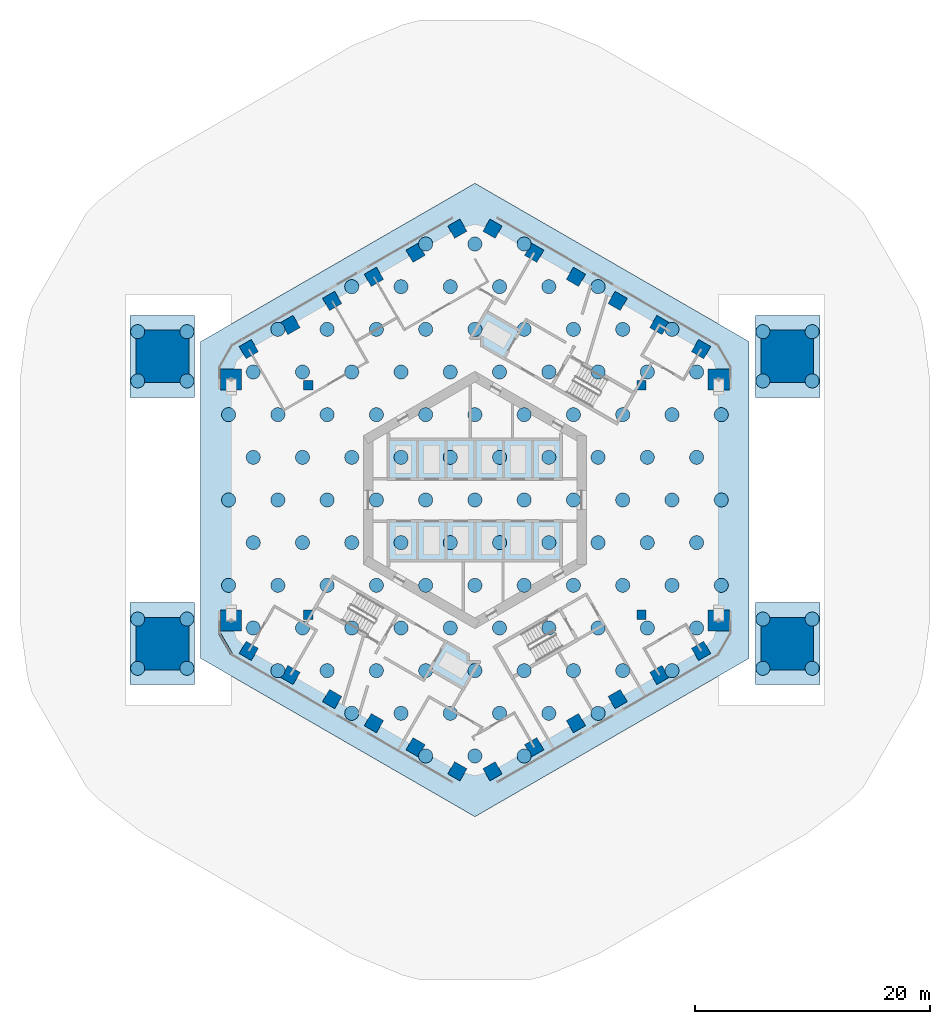
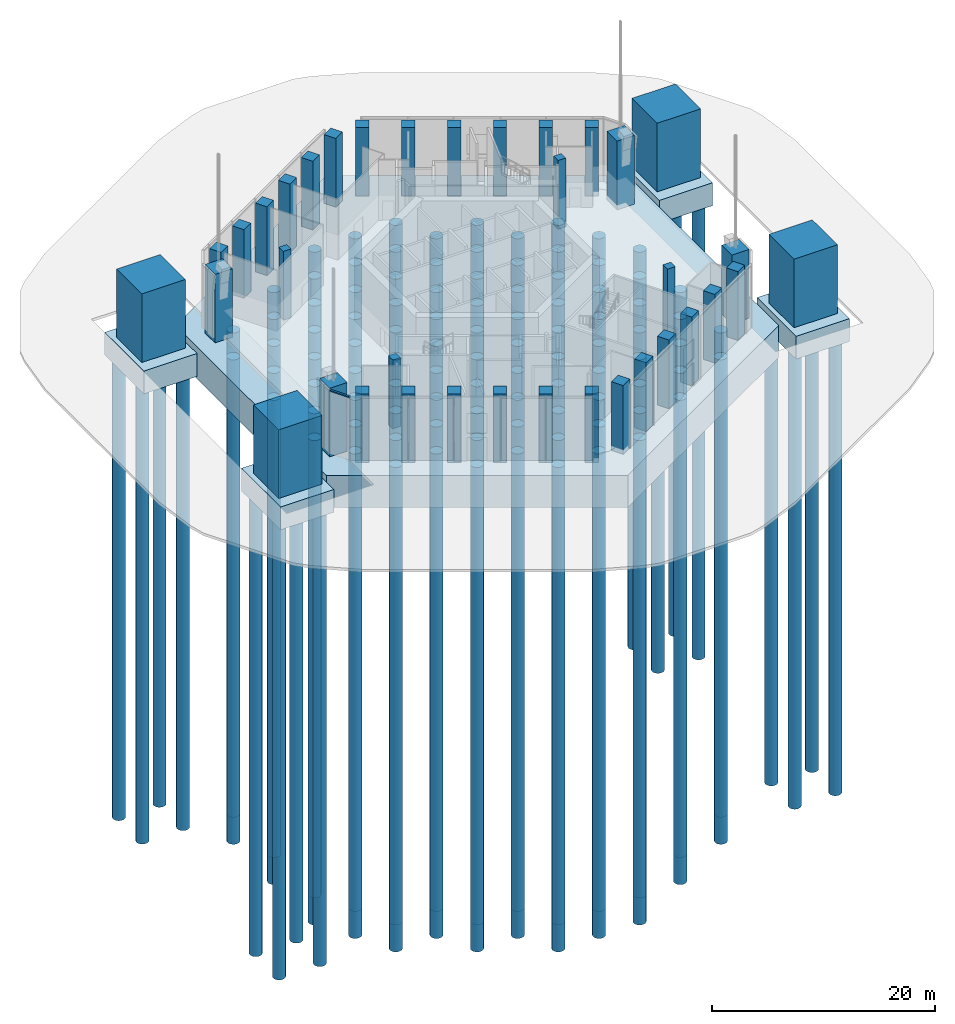
# One storey, part 1 of 18: 125 piles, 36 columns, 5 footings, 1 member, 1 element without a shape of its own.
"""IFC4 building model written with IfcOpenShell, lengths in metres."""

from ifc_helpers import new_model, si_unit, direction, frame, origin, origin_2d, place, context, subcontext, project, spatial, polyline, rectangle, circle, outline, extrude, material, layer, layer_set, material_profile, profile_set, type_object, element, aggregate, save


model = new_model("IFC4")

# Units and contexts
model_context = context("Model", 3, precision=1e-05, world=origin(), true_north=direction((0.0, 1.0)))
body_context = subcontext(model_context, "Body", "Model", "MODEL_VIEW")
ifc_project = project(units=[si_unit("LENGTHUNIT", "METRE"), si_unit("AREAUNIT", "SQUARE_METRE"), si_unit("VOLUMEUNIT", "CUBIC_METRE"), si_unit("PLANEANGLEUNIT", "RADIAN"), si_unit("MASSUNIT", "GRAM", prefix="KILO")], contexts=[model_context])

# Site, building, storey
site_placement = place(None, origin())
site = spatial("IfcSite", under=ifc_project, at=site_placement, CompositionType="ELEMENT")
building_placement = place(site_placement, origin())
building = spatial("IfcBuilding", under=site, at=building_placement, Name="Ayvan Gate Tower", CompositionType="ELEMENT")
storey_placement = place(building_placement, origin())
storey = spatial("IfcBuildingStorey", under=building, at=storey_placement, Name="L00", CompositionType="ELEMENT", Elevation=0.0)

# Piles
ifc_material_1 = material(Name="Concrete C35/45", Category="concrete")
ifc_material_profile_1 = material_profile(ifc_material_1, circle(Radius=0.60009765625, at=origin_2d()), Name="BORED 1200")
ifc_profile_set_1 = profile_set([ifc_material_profile_1], Name="Concrete C35/45")
pile_type = type_object("IfcPileType", Name="Bored pile BORED 1200", PredefinedType="BORED", material=ifc_profile_set_1)
for number, where, z_axis, x_axis, name in (
    (1, (-4.199951171875, -21.82373046875, -3.85009765625), (0.0, 0.0, -1.0), (1.0, 0.0, 0.0), "PILE-001"),
    (2, (0.0, -21.82373046875, -3.85009765625), (0.0, 0.0, -1.0), (1.0, 0.0, 0.0), "PILE-002"),
    (3, (4.199951171875, -21.82373046875, -3.85009765625), (0.0, 0.0, -1.0), (1.0, 0.0, 0.0), "PILE-003"),
    (4, (-10.5, -18.1865234375, -3.85009765625), (0.0, 0.0, -1.0), (1.0, 0.0, 0.0), "PILE-004"),
    (5, (-6.300048828125, -18.1865234375, -3.85009765625), (0.0, 0.0, -1.0), (1.0, 0.0, 0.0), "PILE-005"),
    (6, (-2.10009765625, -18.1865234375, -3.85009765625), (0.0, 0.0, -1.0), (1.0, 0.0, 0.0), "PILE-006"),
    (7, (2.10009765625, -18.1865234375, -3.85009765625), (0.0, 0.0, -1.0), (1.0, 0.0, 0.0), "PILE-007"),
    (8, (6.300048828125, -18.1865234375, -3.85009765625), (0.0, 0.0, -1.0), (1.0, 0.0, 0.0), "PILE-008"),
    (9, (10.5, -18.1865234375, -3.85009765625), (0.0, 0.0, -1.0), (1.0, 0.0, 0.0), "PILE-009"),
    (10, (-16.800048828125, -14.54931640625, -3.85009765625), (0.0, 0.0, -1.0), (1.0, 0.0, 0.0), "PILE-010"),
    (11, (-12.60009765625, -14.54931640625, -3.85009765625), (0.0, 0.0, -1.0), (1.0, 0.0, 0.0), "PILE-011"),
    (12, (-8.39990234375, -14.54931640625, -3.85009765625), (0.0, 0.0, -1.0), (1.0, 0.0, 0.0), "PILE-012"),
    (13, (-4.199951171875, -14.54931640625, -3.85009765625), (0.0, 0.0, -1.0), (1.0, 0.0, 0.0), "PILE-013"),
    (14, (0.0, -14.54931640625, -3.85009765625), (0.0, 0.0, -1.0), (1.0, 0.0, 0.0), "PILE-014"),
    (15, (4.199951171875, -14.54931640625, -3.85009765625), (0.0, 0.0, -1.0), (1.0, 0.0, 0.0), "PILE-015"),
    (16, (8.39990234375, -14.54931640625, -3.85009765625), (0.0, 0.0, -1.0), (1.0, 0.0, 0.0), "PILE-016"),
    (17, (12.60009765625, -14.54931640625, -3.85009765625), (0.0, 0.0, -1.0), (1.0, 0.0, 0.0), "PILE-017"),
    (18, (16.800048828125, -14.54931640625, -3.85009765625), (0.0, 0.0, -1.0), (1.0, 0.0, 0.0), "PILE-018"),
    (19, (-18.89990234375, -10.911865234375, -3.85009765625), (0.0, 0.0, -1.0), (1.0, 0.0, 0.0), "PILE-019"),
    (20, (-14.699951171875, -10.911865234375, -3.85009765625), (0.0, 0.0, -1.0), (1.0, 0.0, 0.0), "PILE-020"),
    (21, (-10.5, -10.911865234375, -3.85009765625), (0.0, 0.0, -1.0), (1.0, 0.0, 0.0), "PILE-021"),
    (22, (-6.300048828125, -10.911865234375, -3.85009765625), (0.0, 0.0, -1.0), (1.0, 0.0, 0.0), "PILE-022"),
    (23, (-2.10009765625, -10.911865234375, -3.85009765625), (0.0, 0.0, -1.0), (1.0, 0.0, 0.0), "PILE-023"),
    (24, (2.10009765625, -10.911865234375, -3.85009765625), (0.0, 0.0, -1.0), (1.0, 0.0, 0.0), "PILE-024"),
    (25, (6.300048828125, -10.911865234375, -3.85009765625), (0.0, 0.0, -1.0), (1.0, 0.0, 0.0), "PILE-025"),
    (26, (10.5, -10.911865234375, -3.85009765625), (0.0, 0.0, -1.0), (1.0, 0.0, 0.0), "PILE-026"),
    (27, (14.699951171875, -10.911865234375, -3.85009765625), (0.0, 0.0, -1.0), (1.0, 0.0, 0.0), "PILE-027"),
    (28, (18.89990234375, -10.911865234375, -3.85009765625), (0.0, 0.0, -1.0), (1.0, 0.0, 0.0), "PILE-028"),
    (29, (-21.0, -7.274658203125, -3.85009765625), (0.0, 0.0, -1.0), (1.0, 0.0, 0.0), "PILE-029"),
    (30, (-16.800048828125, -7.274658203125, -3.85009765625), (0.0, 0.0, -1.0), (1.0, 0.0, 0.0), "PILE-030"),
    (31, (-12.60009765625, -7.274658203125, -3.85009765625), (0.0, 0.0, -1.0), (1.0, 0.0, 0.0), "PILE-031"),
    (32, (-8.39990234375, -7.274658203125, -3.85009765625), (0.0, 0.0, -1.0), (1.0, 0.0, 0.0), "PILE-032"),
    (33, (-4.199951171875, -7.274658203125, -3.85009765625), (0.0, 0.0, -1.0), (1.0, 0.0, 0.0), "PILE-033"),
    (34, (0.0, -7.274658203125, -3.85009765625), (0.0, 0.0, -1.0), (1.0, 0.0, 0.0), "PILE-034"),
    (35, (4.199951171875, -7.274658203125, -3.85009765625), (0.0, 0.0, -1.0), (1.0, 0.0, 0.0), "PILE-035"),
    (36, (8.39990234375, -7.274658203125, -3.85009765625), (0.0, 0.0, -1.0), (1.0, 0.0, 0.0), "PILE-036"),
    (37, (12.60009765625, -7.274658203125, -3.85009765625), (0.0, 0.0, -1.0), (1.0, 0.0, 0.0), "PILE-037"),
    (38, (16.800048828125, -7.274658203125, -3.85009765625), (0.0, 0.0, -1.0), (1.0, 0.0, 0.0), "PILE-038"),
    (39, (21.0, -7.274658203125, -3.85009765625), (0.0, 0.0, -1.0), (1.0, 0.0, 0.0), "PILE-039"),
    (40, (-18.89990234375, -3.63720703125, -3.85009765625), (0.0, 0.0, -1.0), (1.0, 0.0, 0.0), "PILE-040"),
    (41, (-14.699951171875, -3.63720703125, -3.85009765625), (0.0, 0.0, -1.0), (1.0, 0.0, 0.0), "PILE-041"),
    (42, (-10.5, -3.63720703125, -3.85009765625), (0.0, 0.0, -1.0), (1.0, 0.0, 0.0), "PILE-042"),
    (43, (-6.300048828125, -3.63720703125, -3.85009765625), (0.0, 0.0, -1.0), (1.0, 0.0, 0.0), "PILE-043"),
    (44, (-2.10009765625, -3.63720703125, -3.85009765625), (0.0, 0.0, -1.0), (1.0, 0.0, 0.0), "PILE-044"),
    (45, (2.10009765625, -3.63720703125, -3.85009765625), (0.0, 0.0, -1.0), (1.0, 0.0, 0.0), "PILE-045"),
    (46, (6.300048828125, -3.63720703125, -3.85009765625), (0.0, 0.0, -1.0), (1.0, 0.0, 0.0), "PILE-046"),
    (47, (10.5, -3.63720703125, -3.85009765625), (0.0, 0.0, -1.0), (1.0, 0.0, 0.0), "PILE-047"),
    (48, (14.699951171875, -3.63720703125, -3.85009765625), (0.0, 0.0, -1.0), (1.0, 0.0, 0.0), "PILE-048"),
    (49, (18.89990234375, -3.63720703125, -3.85009765625), (0.0, 0.0, -1.0), (1.0, 0.0, 0.0), "PILE-049"),
    (50, (-21.0, 0.0, -3.85009765625), (0.0, 0.0, -1.0), (1.0, 0.0, 0.0), "PILE-050"),
    (51, (-16.800048828125, 0.0, -3.85009765625), (0.0, 0.0, -1.0), (1.0, 0.0, 0.0), "PILE-051"),
    (52, (-12.60009765625, 0.0, -3.85009765625), (0.0, 0.0, -1.0), (1.0, 0.0, 0.0), "PILE-052"),
    (53, (-8.39990234375, 0.0, -3.85009765625), (0.0, 0.0, -1.0), (1.0, 0.0, 0.0), "PILE-053"),
    (54, (-4.199951171875, 0.0, -3.85009765625), (0.0, 0.0, -1.0), (1.0, 0.0, 0.0), "PILE-054"),
    (55, (0.0, 0.0, -3.85009765625), (0.0, 0.0, -1.0), (1.0, 0.0, 0.0), "PILE-055"),
    (56, (4.199951171875, 0.0, -3.85009765625), (0.0, 0.0, -1.0), (1.0, 0.0, 0.0), "PILE-056"),
    (57, (8.39990234375, 0.0, -3.85009765625), (0.0, 0.0, -1.0), (1.0, 0.0, 0.0), "PILE-057"),
    (58, (12.60009765625, 0.0, -3.85009765625), (0.0, 0.0, -1.0), (1.0, 0.0, 0.0), "PILE-058"),
    (59, (16.800048828125, 0.0, -3.85009765625), (0.0, 0.0, -1.0), (1.0, 0.0, 0.0), "PILE-059"),
    (60, (21.0, 0.0, -3.85009765625), (0.0, 0.0, -1.0), (1.0, 0.0, 0.0), "PILE-060"),
    (61, (-18.89990234375, 3.63720703125, -3.85009765625), (0.0, 0.0, -1.0), (1.0, 0.0, 0.0), "PILE-061"),
    (62, (-14.699951171875, 3.63720703125, -3.85009765625), (0.0, 0.0, -1.0), (1.0, 0.0, 0.0), "PILE-062"),
    (63, (-10.5, 3.63720703125, -3.85009765625), (0.0, 0.0, -1.0), (1.0, 0.0, 0.0), "PILE-063"),
    (64, (-6.300048828125, 3.63720703125, -3.85009765625), (0.0, 0.0, -1.0), (1.0, 0.0, 0.0), "PILE-064"),
    (65, (-2.10009765625, 3.63720703125, -3.85009765625), (0.0, 0.0, -1.0), (1.0, 0.0, 0.0), "PILE-065"),
    (66, (2.10009765625, 3.63720703125, -3.85009765625), (0.0, 0.0, -1.0), (1.0, 0.0, 0.0), "PILE-066"),
    (67, (6.300048828125, 3.63720703125, -3.85009765625), (0.0, 0.0, -1.0), (1.0, 0.0, 0.0), "PILE-067"),
    (68, (10.5, 3.63720703125, -3.85009765625), (0.0, 0.0, -1.0), (1.0, 0.0, 0.0), "PILE-068"),
    (69, (14.699951171875, 3.63720703125, -3.85009765625), (0.0, 0.0, -1.0), (1.0, 0.0, 0.0), "PILE-069"),
    (70, (18.89990234375, 3.63720703125, -3.85009765625), (0.0, 0.0, -1.0), (1.0, 0.0, 0.0), "PILE-070"),
    (71, (-21.0, 7.274658203125, -3.85009765625), (0.0, 0.0, -1.0), (1.0, 0.0, 0.0), "PILE-071"),
    (72, (-16.800048828125, 7.274658203125, -3.85009765625), (0.0, 0.0, -1.0), (1.0, 0.0, 0.0), "PILE-072"),
    (73, (-12.60009765625, 7.274658203125, -3.85009765625), (0.0, 0.0, -1.0), (1.0, 0.0, 0.0), "PILE-073"),
    (74, (-8.39990234375, 7.274658203125, -3.85009765625), (0.0, 0.0, -1.0), (1.0, 0.0, 0.0), "PILE-074"),
    (75, (-4.199951171875, 7.274658203125, -3.85009765625), (0.0, 0.0, -1.0), (1.0, 0.0, 0.0), "PILE-075"),
    (76, (0.0, 7.274658203125, -3.85009765625), (0.0, 0.0, -1.0), (1.0, 0.0, 0.0), "PILE-076"),
    (77, (4.199951171875, 7.274658203125, -3.85009765625), (0.0, 0.0, -1.0), (1.0, 0.0, 0.0), "PILE-077"),
    (78, (8.39990234375, 7.274658203125, -3.85009765625), (0.0, 0.0, -1.0), (1.0, 0.0, 0.0), "PILE-078"),
    (79, (12.60009765625, 7.274658203125, -3.85009765625), (0.0, 0.0, -1.0), (1.0, 0.0, 0.0), "PILE-079"),
    (80, (16.800048828125, 7.274658203125, -3.85009765625), (0.0, 0.0, -1.0), (1.0, 0.0, 0.0), "PILE-080"),
    (81, (21.0, 7.274658203125, -3.85009765625), (0.0, 0.0, -1.0), (1.0, 0.0, 0.0), "PILE-081"),
    (82, (-18.89990234375, 10.911865234375, -3.85009765625), (0.0, 0.0, -1.0), (1.0, 0.0, 0.0), "PILE-082"),
    (83, (-14.699951171875, 10.911865234375, -3.85009765625), (0.0, 0.0, -1.0), (1.0, 0.0, 0.0), "PILE-083"),
    (84, (-10.5, 10.911865234375, -3.85009765625), (0.0, 0.0, -1.0), (1.0, 0.0, 0.0), "PILE-084"),
    (85, (-6.300048828125, 10.911865234375, -3.85009765625), (0.0, 0.0, -1.0), (1.0, 0.0, 0.0), "PILE-085"),
    (86, (-2.10009765625, 10.911865234375, -3.85009765625), (0.0, 0.0, -1.0), (1.0, 0.0, 0.0), "PILE-086"),
    (87, (2.10009765625, 10.911865234375, -3.85009765625), (0.0, 0.0, -1.0), (1.0, 0.0, 0.0), "PILE-087"),
    (88, (6.300048828125, 10.911865234375, -3.85009765625), (0.0, 0.0, -1.0), (1.0, 0.0, 0.0), "PILE-088"),
    (89, (10.5, 10.911865234375, -3.85009765625), (0.0, 0.0, -1.0), (1.0, 0.0, 0.0), "PILE-089"),
    (90, (14.699951171875, 10.911865234375, -3.85009765625), (0.0, 0.0, -1.0), (1.0, 0.0, 0.0), "PILE-090"),
    (91, (18.89990234375, 10.911865234375, -3.85009765625), (0.0, 0.0, -1.0), (1.0, 0.0, 0.0), "PILE-091"),
    (92, (-16.800048828125, 14.54931640625, -3.85009765625), (0.0, 0.0, -1.0), (1.0, 0.0, 0.0), "PILE-092"),
    (93, (-12.60009765625, 14.54931640625, -3.85009765625), (0.0, 0.0, -1.0), (1.0, 0.0, 0.0), "PILE-093"),
    (94, (-8.39990234375, 14.54931640625, -3.85009765625), (0.0, 0.0, -1.0), (1.0, 0.0, 0.0), "PILE-094"),
    (95, (-4.199951171875, 14.54931640625, -3.85009765625), (0.0, 0.0, -1.0), (1.0, 0.0, 0.0), "PILE-095"),
    (96, (0.0, 14.54931640625, -3.85009765625), (0.0, 0.0, -1.0), (1.0, 0.0, 0.0), "PILE-096"),
    (97, (4.199951171875, 14.54931640625, -3.85009765625), (0.0, 0.0, -1.0), (1.0, 0.0, 0.0), "PILE-097"),
    (98, (8.39990234375, 14.54931640625, -3.85009765625), (0.0, 0.0, -1.0), (1.0, 0.0, 0.0), "PILE-098"),
    (99, (12.60009765625, 14.54931640625, -3.85009765625), (0.0, 0.0, -1.0), (1.0, 0.0, 0.0), "PILE-099"),
    (100, (16.800048828125, 14.54931640625, -3.85009765625), (0.0, 0.0, -1.0), (1.0, 0.0, 0.0), "PILE-100"),
    (101, (-10.5, 18.1865234375, -3.85009765625), (0.0, 0.0, -1.0), (1.0, 0.0, 0.0), "PILE-101"),
    (102, (-6.300048828125, 18.1865234375, -3.85009765625), (0.0, 0.0, -1.0), (1.0, 0.0, 0.0), "PILE-102"),
    (103, (-2.10009765625, 18.1865234375, -3.85009765625), (0.0, 0.0, -1.0), (1.0, 0.0, 0.0), "PILE-103"),
    (104, (2.10009765625, 18.1865234375, -3.85009765625), (0.0, 0.0, -1.0), (1.0, 0.0, 0.0), "PILE-104"),
    (105, (6.300048828125, 18.1865234375, -3.85009765625), (0.0, 0.0, -1.0), (1.0, 0.0, 0.0), "PILE-105"),
    (106, (10.5, 18.1865234375, -3.85009765625), (0.0, 0.0, -1.0), (1.0, 0.0, 0.0), "PILE-106"),
    (107, (-4.199951171875, 21.82373046875, -3.85009765625), (0.0, 0.0, -1.0), (1.0, 0.0, 0.0), "PILE-107"),
    (108, (0.0, 21.82373046875, -3.85009765625), (0.0, 0.0, -1.0), (1.0, 0.0, 0.0), "PILE-108"),
    (109, (4.199951171875, 21.82373046875, -3.85009765625), (0.0, 0.0, -1.0), (1.0, 0.0, 0.0), "PILE-109"),
    (110, (24.550048828125, 10.14990234375, -2.85009765625), (0.0, 0.0, -1.0), (1.0, 0.0, 0.0), "PILE-110"),
    (111, (24.550048828125, 14.35009765625, -2.85009765625), (0.0, 0.0, -1.0), (1.0, 0.0, 0.0), "PILE-111"),
    (112, (28.75, 10.14990234375, -2.85009765625), (0.0, 0.0, -1.0), (1.0, 0.0, 0.0), "PILE-112"),
    (113, (28.75, 14.35009765625, -2.85009765625), (0.0, 0.0, -1.0), (1.0, 0.0, 0.0), "PILE-113"),
    (114, (24.550048828125, -14.35009765625, -2.85009765625), (0.0, 0.0, -1.0), (1.0, 0.0, 0.0), "PILE-114"),
    (115, (24.550048828125, -10.14990234375, -2.85009765625), (0.0, 0.0, -1.0), (1.0, 0.0, 0.0), "PILE-115"),
    (116, (28.75, -14.35009765625, -2.85009765625), (0.0, 0.0, -1.0), (1.0, 0.0, 0.0), "PILE-116"),
    (117, (28.75, -10.14990234375, -2.85009765625), (0.0, 0.0, -1.0), (1.0, 0.0, 0.0), "PILE-117"),
    (118, (-28.75, 10.14990234375, -2.85009765625), (0.0, 0.0, -1.0), (1.0, 0.0, 0.0), "PILE-118"),
    (119, (-28.75, 14.35009765625, -2.85009765625), (0.0, 0.0, -1.0), (1.0, 0.0, 0.0), "PILE-119"),
    (120, (-24.550048828125, 10.14990234375, -2.85009765625), (0.0, 0.0, -1.0), (1.0, 0.0, 0.0), "PILE-120"),
    (121, (-24.550048828125, 14.35009765625, -2.85009765625), (0.0, 0.0, -1.0), (1.0, 0.0, 0.0), "PILE-121"),
    (122, (-28.75, -14.35009765625, -2.85009765625), (0.0, 0.0, -1.0), (1.0, 0.0, 0.0), "PILE-122"),
    (123, (-28.75, -10.14990234375, -2.85009765625), (0.0, 0.0, -1.0), (1.0, 0.0, 0.0), "PILE-123"),
    (124, (-24.550048828125, -14.35009765625, -2.85009765625), (0.0, 0.0, -1.0), (1.0, 0.0, 0.0), "PILE-124"),
    (125, (-24.550048828125, -10.14990234375, -2.85009765625), (0.0, 0.0, -1.0), (1.0, 0.0, 0.0), "PILE-125"),
):
    element("IfcPile", number, at=place(storey_placement, frame(where, z_axis=z_axis, x_axis=x_axis)), inside=storey, type_object=pile_type, Name=name, PredefinedType="BORED", context=body_context, shape_type="SweptSolid", body=[
        extrude(circle(Radius=0.60009765625, at=origin_2d()), origin(), (0.0, 0.0, 1.0), 50.0),
    ])

# Footings
ifc_material_2 = material(Name="Concrete C50/60 sulfate-resisting", Category="concrete")
ifc_layer_1 = layer(ifc_material_2, 2.5)
ifc_layer_set_1 = layer_set([ifc_layer_1], Name="Concrete C50/60 sulfate-resisting")
footing_type_1 = type_object("IfcFootingType", Name="Pier pile cap", PredefinedType="PILE_CAP", material=ifc_layer_set_1)
footing_1_placement = place(storey_placement, frame((0.0, 0.0, -3.0)))
element("IfcFooting", 126, at=footing_1_placement, inside=storey, type_object=footing_type_1, Name="Pier pile cap PC-0-N", PredefinedType="PILE_CAP", context=body_context, shape_type="SweptSolid", body=[
    extrude(outline(polyline([(23.89990234375, 8.75), (29.39990234375, 8.75), (29.39990234375, 15.75), (23.89990234375, 15.75), (23.89990234375, 8.75)])), origin(), (0.0, 0.0, 1.0), 2.5),
])
footing_2_placement = place(storey_placement, frame((0.0, 0.0, -3.0)))
element("IfcFooting", 127, at=footing_2_placement, inside=storey, type_object=footing_type_1, Name="Pier pile cap PC-0-S", PredefinedType="PILE_CAP", context=body_context, shape_type="SweptSolid", body=[
    extrude(outline(polyline([(23.89990234375, -15.75), (29.39990234375, -15.75), (29.39990234375, -8.75), (23.89990234375, -8.75), (23.89990234375, -15.75)])), origin(), (0.0, 0.0, 1.0), 2.5),
])
footing_3_placement = place(storey_placement, frame((0.0, 0.0, -3.0)))
element("IfcFooting", 128, at=footing_3_placement, inside=storey, type_object=footing_type_1, Name="Pier pile cap PC-3-N", PredefinedType="PILE_CAP", context=body_context, shape_type="SweptSolid", body=[
    extrude(outline(polyline([(-29.39990234375, 8.75), (-23.89990234375, 8.75), (-23.89990234375, 15.75), (-29.39990234375, 15.75), (-29.39990234375, 8.75)])), origin(), (0.0, 0.0, 1.0), 2.5),
])
footing_4_placement = place(storey_placement, frame((0.0, 0.0, -3.0)))
element("IfcFooting", 129, at=footing_4_placement, inside=storey, type_object=footing_type_1, Name="Pier pile cap PC-3-S", PredefinedType="PILE_CAP", context=body_context, shape_type="SweptSolid", body=[
    extrude(outline(polyline([(-29.39990234375, -15.75), (-23.89990234375, -15.75), (-23.89990234375, -8.75), (-29.39990234375, -8.75), (-29.39990234375, -15.75)])), origin(), (0.0, 0.0, 1.0), 2.5),
])
ifc_layer_2 = layer(ifc_material_2, 3.5)
ifc_layer_set_2 = layer_set([ifc_layer_2], Name="Concrete C50/60 sulfate-resisting")
footing_type_2 = type_object("IfcFootingType", Name="Piled raft", PredefinedType="PILE_CAP", material=ifc_layer_set_2)
footing_5_placement = place(storey_placement, frame((0.0, 0.0, -4.0)))
element("IfcFooting", 130, at=footing_5_placement, inside=storey, type_object=footing_type_2, Name="Piled raft", PredefinedType="PILE_CAP", context=body_context, shape_type="SweptSolid", body=[
    extrude(outline(polyline([(23.382568359375, 13.5), (0.0, 27.0), (-23.382568359375, 13.5), (-23.382568359375, -13.5), (0.0, -27.0), (23.382568359375, -13.5), (23.382568359375, 13.5)])), origin(), (0.0, 0.0, 1.0), 3.5),
])

# Columns
ifc_material_3 = material(Name="Concrete C70/85", Category="concrete")
ifc_material_profile_2 = material_profile(ifc_material_3, rectangle(XDim=0.800048828125, YDim=0.800048828125, at=origin_2d()), Name="RC 800x800")
ifc_profile_set_2 = profile_set([ifc_material_profile_2], Name="Concrete C70/85")
column_type_1 = type_object("IfcColumnType", Name="Opening jamb column RC 800x800 C70/85", PredefinedType="COLUMN", material=ifc_profile_set_2)
for number, where, z_axis, x_axis, name in (
    (131, (14.199951171875, -9.7978515625, -0.5), (0.0, 0.0, 1.0), (1.0, 0.0, 0.0), "JC-L00-0-A"),
    (132, (14.199951171875, 9.7978515625, -0.5), (0.0, 0.0, 1.0), (1.0, 0.0, 0.0), "JC-L00-0-B"),
    (133, (-14.199951171875, 9.7978515625, -0.5), (0.0, 0.0, 1.0), (-1.0, 0.0, 0.0), "JC-L00-3-A"),
    (134, (-14.199951171875, -9.7978515625, -0.5), (0.0, 0.0, 1.0), (-1.0, 0.0, 0.0), "JC-L00-3-B"),
):
    element("IfcColumn", number, at=place(storey_placement, frame(where, z_axis=z_axis, x_axis=x_axis)), inside=storey, type_object=column_type_1, Name=name, PredefinedType="COLUMN", context=body_context, shape_type="SweptSolid", body=[
        extrude(rectangle(XDim=0.800048828125, YDim=0.800048828125, at=origin_2d()), origin(), (0.0, 0.0, 1.0), 7.5),
    ])
ifc_material_4 = material(Name="Concrete C60/75", Category="concrete")
ifc_material_profile_3 = material_profile(ifc_material_4, rectangle(XDim=4.5, YDim=4.5, at=origin_2d()), Name="RC 4500x4500")
ifc_profile_set_3 = profile_set([ifc_material_profile_3], Name="Concrete C60/75")
column_type_2 = type_object("IfcColumnType", Name="Portal pier RC 4500x4500 C60/75", PredefinedType="COLUMN", material=ifc_profile_set_3)
for number, where, z_axis, x_axis, name in (
    (135, (26.634521484375, 12.25, -0.5), (0.0, 0.0, 1.0), (1.0, 0.0, 0.0), "Portal pier PP-E-N L00"),
    (136, (26.634521484375, -12.25, -0.5), (0.0, 0.0, 1.0), (1.0, 0.0, 0.0), "Portal pier PP-E-S L00"),
    (137, (-26.634521484375, -12.25, -0.5), (0.0, 0.0, 1.0), (-1.0, 0.0, 0.0), "Portal pier PP-W-S L00"),
    (138, (-26.634521484375, 12.25, -0.5), (0.0, 0.0, 1.0), (-1.0, 0.0, 0.0), "Portal pier PP-W-N L00"),
):
    element("IfcColumn", number, at=place(storey_placement, frame(where, z_axis=z_axis, x_axis=x_axis)), inside=storey, type_object=column_type_2, Name=name, PredefinedType="COLUMN", context=body_context, shape_type="SweptSolid", body=[
        extrude(rectangle(XDim=4.5, YDim=4.5, at=origin_2d()), origin(), (0.0, 0.0, 1.0), 7.5),
    ])
ifc_material_profile_4 = material_profile(ifc_material_3, rectangle(XDim=1.199951171875, YDim=1.199951171875, at=origin_2d()), Name="RC 1200x1200")
ifc_profile_set_4 = profile_set([ifc_material_profile_4], Name="Concrete C70/85")
column_type_3 = type_object("IfcColumnType", Name="Tube column RC 1200x1200 C70/85", PredefinedType="COLUMN", material=ifc_profile_set_4)
for number, where, z_axis, x_axis, name in (
    (139, (19.28466796875, 12.865966796875, -0.5), (0.0, 0.0, 1.0), (0.5, 0.866025403784, 0.0), "C-T1-0-L00"),
    (140, (15.727783203125, 14.919677734375, -0.5), (0.0, 0.0, 1.0), (0.5, 0.866025403784, 0.0), "C-T1-1-L00"),
    (141, (12.170654296875, 16.97314453125, -0.5), (0.0, 0.0, 1.0), (0.5, 0.866025403784, 0.0), "C-T1-2-L00"),
    (142, (8.61376953125, 19.02685546875, -0.5), (0.0, 0.0, 1.0), (0.5, 0.866025403784, 0.0), "C-T1-3-L00"),
    (143, (5.056884765625, 21.080322265625, -0.5), (0.0, 0.0, 1.0), (0.5, 0.866025403784, 0.0), "C-T1-4-L00"),
    (144, (1.5, 23.134033203125, -0.5), (0.0, 0.0, 1.0), (0.5, 0.866025403784, 0.0), "C-T1-5-L00"),
    (145, (-1.5, 23.134033203125, -0.5), (0.0, 0.0, 1.0), (-0.5, 0.866025403784, 0.0), "C-T2-0-L00"),
    (146, (-5.056884765625, 21.080322265625, -0.5), (0.0, 0.0, 1.0), (-0.5, 0.866025403784, 0.0), "C-T2-1-L00"),
    (147, (-8.61376953125, 19.02685546875, -0.5), (0.0, 0.0, 1.0), (-0.5, 0.866025403784, 0.0), "C-T2-2-L00"),
    (148, (-12.170654296875, 16.97314453125, -0.5), (0.0, 0.0, 1.0), (-0.5, 0.866025403784, 0.0), "C-T2-3-L00"),
    (149, (-15.727783203125, 14.919677734375, -0.5), (0.0, 0.0, 1.0), (-0.5, 0.866025403784, 0.0), "C-T2-4-L00"),
    (150, (-19.28466796875, 12.865966796875, -0.5), (0.0, 0.0, 1.0), (-0.5, 0.866025403784, 0.0), "C-T2-5-L00"),
    (151, (-19.28466796875, -12.865966796875, -0.5), (0.0, 0.0, 1.0), (-0.5, -0.866025403784, 0.0), "C-T4-0-L00"),
    (152, (-15.727783203125, -14.919677734375, -0.5), (0.0, 0.0, 1.0), (-0.5, -0.866025403784, 0.0), "C-T4-1-L00"),
    (153, (-12.170654296875, -16.97314453125, -0.5), (0.0, 0.0, 1.0), (-0.5, -0.866025403784, 0.0), "C-T4-2-L00"),
    (154, (-8.61376953125, -19.02685546875, -0.5), (0.0, 0.0, 1.0), (-0.5, -0.866025403784, 0.0), "C-T4-3-L00"),
    (155, (-5.056884765625, -21.080322265625, -0.5), (0.0, 0.0, 1.0), (-0.5, -0.866025403784, 0.0), "C-T4-4-L00"),
    (156, (-1.5, -23.134033203125, -0.5), (0.0, 0.0, 1.0), (-0.5, -0.866025403784, 0.0), "C-T4-5-L00"),
    (157, (1.5, -23.134033203125, -0.5), (0.0, 0.0, 1.0), (0.5, -0.866025403784, 0.0), "C-T5-0-L00"),
    (158, (5.056884765625, -21.080322265625, -0.5), (0.0, 0.0, 1.0), (0.5, -0.866025403784, 0.0), "C-T5-1-L00"),
    (159, (8.61376953125, -19.02685546875, -0.5), (0.0, 0.0, 1.0), (0.5, -0.866025403784, 0.0), "C-T5-2-L00"),
    (160, (12.170654296875, -16.97314453125, -0.5), (0.0, 0.0, 1.0), (0.5, -0.866025403784, 0.0), "C-T5-3-L00"),
    (161, (15.727783203125, -14.919677734375, -0.5), (0.0, 0.0, 1.0), (0.5, -0.866025403784, 0.0), "C-T5-4-L00"),
    (162, (19.28466796875, -12.865966796875, -0.5), (0.0, 0.0, 1.0), (0.5, -0.866025403784, 0.0), "C-T5-5-L00"),
):
    element("IfcColumn", number, at=place(storey_placement, frame(where, z_axis=z_axis, x_axis=x_axis)), inside=storey, type_object=column_type_3, Name=name, PredefinedType="COLUMN", context=body_context, shape_type="SweptSolid", body=[
        extrude(rectangle(XDim=1.199951171875, YDim=1.199951171875, at=origin_2d()), origin(), (0.0, 0.0, 1.0), 7.5),
    ])
ifc_material_profile_5 = material_profile(ifc_material_3, rectangle(XDim=1.800048828125, YDim=1.800048828125, at=origin_2d()), Name="RC 1800x1800")
ifc_profile_set_5 = profile_set([ifc_material_profile_5], Name="Concrete C70/85")
column_type_4 = type_object("IfcColumnType", Name="Tube column RC 1800x1800 C70/85", PredefinedType="COLUMN", material=ifc_profile_set_5)
for number, where, z_axis, x_axis, name in (
    (163, (20.78466796875, -10.26806640625, -0.5), (0.0, 0.0, 1.0), (1.0, 0.0, 0.0), "C-T0-0-L00"),
    (164, (20.78466796875, 10.26806640625, -0.5), (0.0, 0.0, 1.0), (1.0, 0.0, 0.0), "C-T0-5-L00"),
    (165, (-20.78466796875, 10.26806640625, -0.5), (0.0, 0.0, 1.0), (-1.0, 0.0, 0.0), "C-T3-0-L00"),
    (166, (-20.78466796875, -10.26806640625, -0.5), (0.0, 0.0, 1.0), (-1.0, 0.0, 0.0), "C-T3-5-L00"),
):
    element("IfcColumn", number, at=place(storey_placement, frame(where, z_axis=z_axis, x_axis=x_axis)), inside=storey, type_object=column_type_4, Name=name, PredefinedType="COLUMN", context=body_context, shape_type="SweptSolid", body=[
        extrude(rectangle(XDim=1.800048828125, YDim=1.800048828125, at=origin_2d()), origin(), (0.0, 0.0, 1.0), 7.5),
    ])

# Curtain wall, member
ifc_material_5 = material(Name="Bronze anodised aluminium", Category="aluminium")
ifc_layer_3 = layer(ifc_material_5, 0.199951171875)
ifc_layer_set_3 = layer_set([ifc_layer_3], Name="Bronze anodised aluminium")
curtain_wall_type = type_object("IfcCurtainWallType", Name="Stick curtain wall CW-6", PredefinedType="NOTDEFINED", material=ifc_layer_set_3)
curtain_wall_placement = place(storey_placement, origin())
curtain_wall = element("IfcCurtainWall", 167, at=curtain_wall_placement, inside=storey, type_object=curtain_wall_type, Name="Stick curtain wall CW-6 L00", PredefinedType="NOTDEFINED")
ifc_material_profile_6 = material_profile(ifc_material_5, rectangle(XDim=0.199951171875, YDim=0.1201171875, at=origin_2d()), Name="Stick curtain wall CW-6 transom 200 x 120")
ifc_profile_set_6 = profile_set([ifc_material_profile_6], Name="Bronze anodised aluminium")
member_type = type_object("IfcMemberType", Name="Stick curtain wall CW-6 transom 200 x 120", PredefinedType="USERDEFINED", material=ifc_profile_set_6)
member_placement = place(storey_placement, frame((-21.772216796875, -11.371337890625, 6.93994140625), z_axis=(0.500020978615, -0.866013291437, 0.0), x_axis=(0.866013291437, 0.500020978615, 0.0)))
member = element("IfcMember", 168, at=member_placement, type_object=member_type, Name="CW-6 transom 2", ObjectType="TRANSOM", PredefinedType="USERDEFINED", context=body_context, shape_type="SweptSolid", body=[
    extrude(rectangle(XDim=0.199951171875, YDim=0.1201171875, at=origin_2d()), origin(), (0.0, 0.0, 1.0), 2.07666015625),
])
aggregate(curtain_wall, [member])

save(model, "model.ifc")
